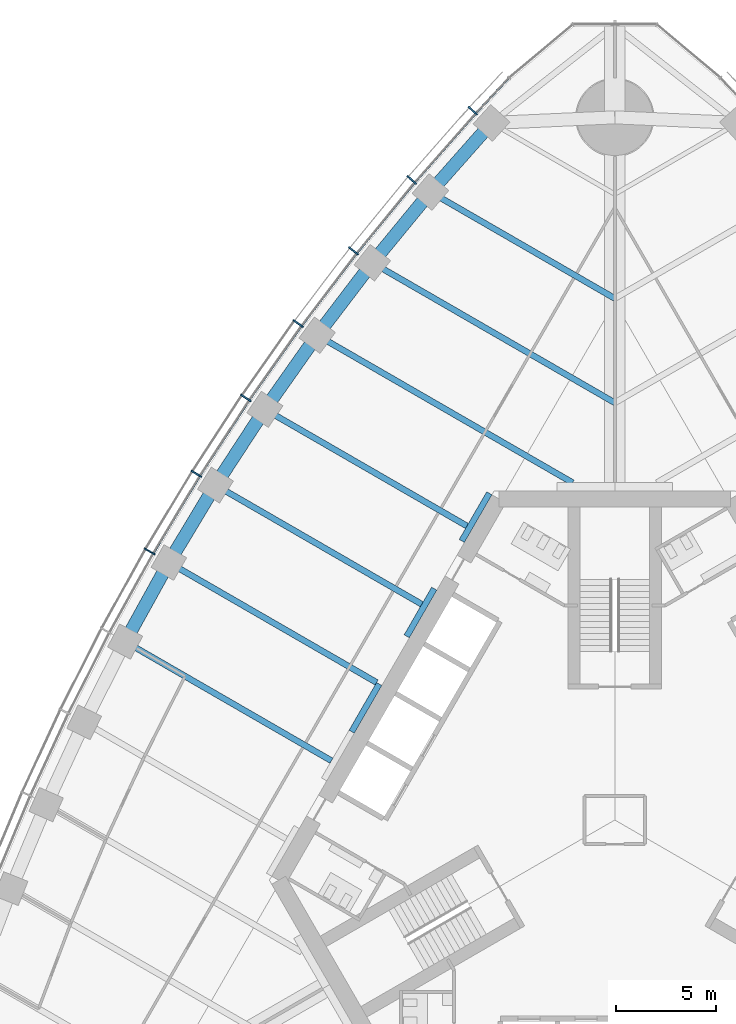
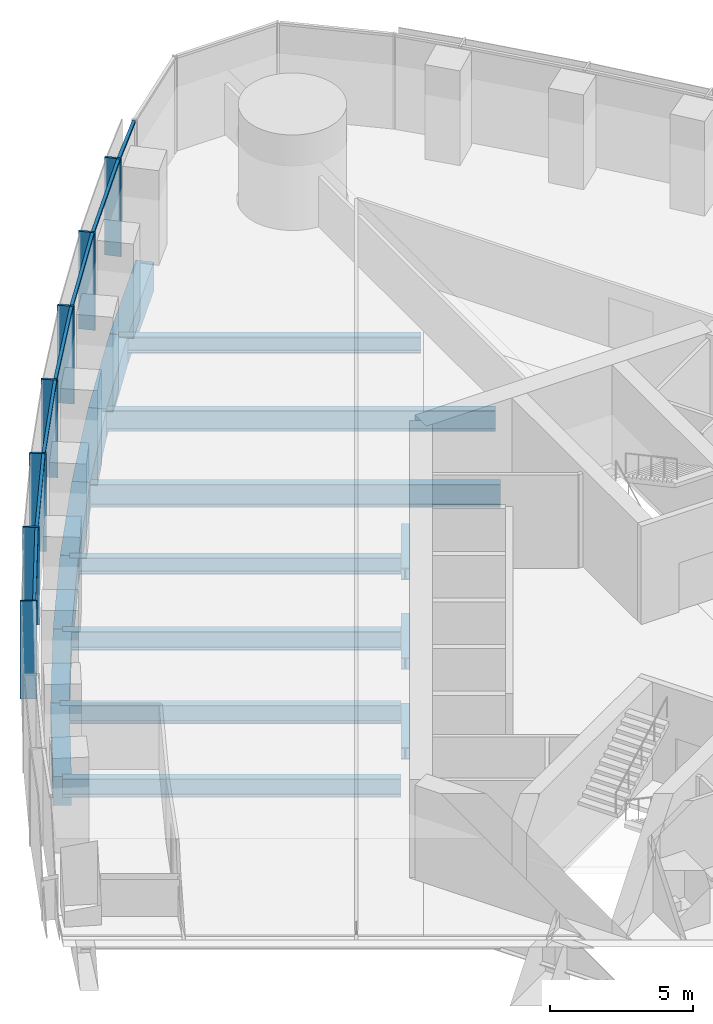
# One storey, part 4 of 19: 17 beams, 14 members, 1 element without a shape of its own.
"""IFC4 building model written with IfcOpenShell, lengths in metres."""

from ifc_helpers import new_model, si_unit, direction, frame, origin, origin_2d, place, context, subcontext, project, spatial, rectangle, i_section, extrude, material, material_profile, profile_set, type_object, element, aggregate, save


model = new_model("IFC4")

# Units and contexts
model_context = context("Model", 3, precision=1e-05, world=origin(), true_north=direction((0.0, 1.0)))
body_context = subcontext(model_context, "Body", "Model", "MODEL_VIEW")
ifc_project = project(units=[si_unit("LENGTHUNIT", "METRE"), si_unit("AREAUNIT", "SQUARE_METRE"), si_unit("VOLUMEUNIT", "CUBIC_METRE"), si_unit("PLANEANGLEUNIT", "RADIAN"), si_unit("MASSUNIT", "GRAM", prefix="KILO")], contexts=[model_context])

# Site, building, storey
site_placement = place(None, origin())
site = spatial("IfcSite", under=ifc_project, at=site_placement, CompositionType="ELEMENT")
building_placement = place(site_placement, origin())
building = spatial("IfcBuilding", under=site, at=building_placement, Name="Trefoil Bronze Tower", CompositionType="ELEMENT")
storey_placement = place(building_placement, frame((0.0, 0.0, 119.89990234375)))
storey = spatial("IfcBuildingStorey", under=building, at=storey_placement, Name="L27", CompositionType="ELEMENT", Elevation=119.89990234375)

# Curtain wall, members
ifc_material_1 = material(Name="Tinted solar-control glass", Category="glass")
curtain_wall_type = type_object("IfcCurtainWallType", Name="Bronze office curtain wall", PredefinedType="USERDEFINED", material=ifc_material_1)
curtain_wall_placement = place(storey_placement, origin())
curtain_wall = element("IfcCurtainWall", 1, at=curtain_wall_placement, inside=storey, type_object=curtain_wall_type, Name="CW-A L27 F3", ObjectType="CURTAIN WALL", PredefinedType="USERDEFINED")
ifc_material_2 = material(Name="Bronze-finish aluminium", Category="aluminium")
ifc_material_profile_1 = material_profile(ifc_material_2, rectangle(XDim=0.60009765625, YDim=0.080078125, at=origin_2d()), Name="CW-A mullion")
ifc_profile_set_1 = profile_set([ifc_material_profile_1], Name="Bronze-finish aluminium")
member_type_1 = type_object("IfcMemberType", Name="Bronze office curtain wall mullion", PredefinedType="MULLION", material=ifc_profile_set_1)
member_1_placement = place(storey_placement, frame((-7.070068359375, 35.332275390625, 0.0), z_axis=(0.0, 0.0, 1.0), x_axis=(0.740360700327, -0.672209813534, 0.0)))
member_1 = element("IfcMember", 2, at=member_1_placement, type_object=member_type_1, Name="CW-A L27 F3 mullion 2", PredefinedType="MULLION", context=body_context, shape_type="SweptSolid", body=[
    extrude(rectangle(XDim=0.60009765625, YDim=0.080078125, at=origin_2d()), origin(), (0.0, 0.0, 1.0), 4.18017578125),
])
member_2_placement = place(storey_placement, frame((-10.11474609375, 31.8828125, 0.0), z_axis=(0.0, 0.0, 1.0), x_axis=(0.761721651066, -0.647904411389, 0.0)))
member_2 = element("IfcMember", 3, at=member_2_placement, type_object=member_type_1, Name="CW-A L27 F3 mullion 3", PredefinedType="MULLION", context=body_context, shape_type="SweptSolid", body=[
    extrude(rectangle(XDim=0.60009765625, YDim=0.080078125, at=origin_2d()), origin(), (0.0, 0.0, 1.0), 4.18017578125),
])
member_3_placement = place(storey_placement, frame((-13.01220703125, 28.34716796875, 0.0), z_axis=(0.0, 0.0, 1.0), x_axis=(0.78487913905, -0.619648882098, 0.0)))
member_3 = element("IfcMember", 4, at=member_3_placement, type_object=member_type_1, Name="CW-A L27 F3 mullion 4", PredefinedType="MULLION", context=body_context, shape_type="SweptSolid", body=[
    extrude(rectangle(XDim=0.60009765625, YDim=0.080078125, at=origin_2d()), origin(), (0.0, 0.0, 1.0), 4.18017578125),
])
member_4_placement = place(storey_placement, frame((-15.764404296875, 24.7275390625, 0.0), z_axis=(0.0, 0.0, 1.0), x_axis=(0.806874522901, -0.590722865897, 0.0)))
member_4 = element("IfcMember", 5, at=member_4_placement, type_object=member_type_1, Name="CW-A L27 F3 mullion 5", PredefinedType="MULLION", context=body_context, shape_type="SweptSolid", body=[
    extrude(rectangle(XDim=0.60009765625, YDim=0.080078125, at=origin_2d()), origin(), (0.0, 0.0, 1.0), 4.18017578125),
])
member_5_placement = place(storey_placement, frame((-18.373046875, 21.025146484375, 0.0), z_axis=(0.0, 0.0, 1.0), x_axis=(0.827723925749, -0.561135547566, 0.0)))
member_5 = element("IfcMember", 6, at=member_5_placement, type_object=member_type_1, Name="CW-A L27 F3 mullion 6", PredefinedType="MULLION", context=body_context, shape_type="SweptSolid", body=[
    extrude(rectangle(XDim=0.60009765625, YDim=0.080078125, at=origin_2d()), origin(), (0.0, 0.0, 1.0), 4.18017578125),
])
member_6_placement = place(storey_placement, frame((-20.840087890625, 17.24072265625, 0.0), z_axis=(0.0, 0.0, 1.0), x_axis=(0.84743864936, -0.530893337283, 0.0)))
member_6 = element("IfcMember", 7, at=member_6_placement, type_object=member_type_1, Name="CW-A L27 F3 mullion 7", PredefinedType="MULLION", context=body_context, shape_type="SweptSolid", body=[
    extrude(rectangle(XDim=0.60009765625, YDim=0.080078125, at=origin_2d()), origin(), (0.0, 0.0, 1.0), 4.18017578125),
])
member_7_placement = place(storey_placement, frame((-23.166015625, 13.374755859375, 0.0), z_axis=(0.0, 0.0, 1.0), x_axis=(0.866025403784, -0.5, 0.0)))
member_7 = element("IfcMember", 8, at=member_7_placement, type_object=member_type_1, Name="CW-A L27 F3 mullion 8", PredefinedType="MULLION", context=body_context, shape_type="SweptSolid", body=[
    extrude(rectangle(XDim=0.60009765625, YDim=0.080078125, at=origin_2d()), origin(), (0.0, 0.0, 1.0), 4.18017578125),
])
ifc_material_3 = material(Name="Bronze-finish aluminium", Category="aluminium")
ifc_material_profile_2 = material_profile(ifc_material_3, rectangle(XDim=0.1201171875, YDim=0.10009765625, at=origin_2d()), Name="CW-A transom")
ifc_profile_set_2 = profile_set([ifc_material_profile_2], Name="Bronze-finish aluminium")
member_type_2 = type_object("IfcMemberType", Name="Bronze office curtain wall transom", PredefinedType="USERDEFINED", material=ifc_profile_set_2)
member_8_placement = place(storey_placement, frame((-5.296630859375, 36.9384765625, 4.130126953125), z_axis=(-0.682489214428, -0.730895664366, 0.0), x_axis=(0.730895664366, -0.682489214428, 0.0)))
member_8 = element("IfcMember", 9, at=member_8_placement, type_object=member_type_2, Name="CW-A L27 F3 transom 1", ObjectType="TRANSOM", PredefinedType="USERDEFINED", context=body_context, shape_type="SweptSolid", body=[
    extrude(rectangle(XDim=0.1201171875, YDim=0.10009765625, at=origin_2d()), origin(), (0.0, 0.0, 1.0), 2.340087890625),
])
member_9_placement = place(storey_placement, frame((-6.949462890625, 35.166748046875, 4.130126953125), z_axis=(-0.66173618877, -0.749736764786, 0.0), x_axis=(0.749736764786, -0.66173618877, 0.0)))
member_9 = element("IfcMember", 10, at=member_9_placement, type_object=member_type_2, Name="CW-A L27 F3 transom 2", ObjectType="TRANSOM", PredefinedType="USERDEFINED", context=body_context, shape_type="SweptSolid", body=[
    extrude(rectangle(XDim=0.1201171875, YDim=0.10009765625, at=origin_2d()), origin(), (0.0, 0.0, 1.0), 4.510986328125),
])
member_10_placement = place(storey_placement, frame((-9.98876953125, 31.720947265625, 4.130126953125), z_axis=(-0.633848872297, -0.773456919995, 0.0), x_axis=(0.773456919995, -0.633848872297, 0.0)))
member_10 = element("IfcMember", 11, at=member_10_placement, type_object=member_type_2, Name="CW-A L27 F3 transom 3", ObjectType="TRANSOM", PredefinedType="USERDEFINED", context=body_context, shape_type="SweptSolid", body=[
    extrude(rectangle(XDim=0.1201171875, YDim=0.10009765625, at=origin_2d()), origin(), (0.0, 0.0, 1.0), 4.480224609375),
])
member_11_placement = place(storey_placement, frame((-12.880615234375, 28.18994140625, 4.130126953125), z_axis=(-0.605229114572, -0.796051329296, 0.0), x_axis=(0.796051329296, -0.605229114572, 0.0)))
member_11 = element("IfcMember", 12, at=member_11_placement, type_object=member_type_2, Name="CW-A L27 F3 transom 4", ObjectType="TRANSOM", PredefinedType="USERDEFINED", context=body_context, shape_type="SweptSolid", body=[
    extrude(rectangle(XDim=0.1201171875, YDim=0.10009765625, at=origin_2d()), origin(), (0.0, 0.0, 1.0), 4.456298828125),
])
member_12_placement = place(storey_placement, frame((-15.626953125, 24.5751953125, 4.130126953125), z_axis=(-0.576017858824, -0.817437108478, 0.0), x_axis=(0.817437108478, -0.576017858824, 0.0)))
member_12 = element("IfcMember", 13, at=member_12_placement, type_object=member_type_2, Name="CW-A L27 F3 transom 5", ObjectType="TRANSOM", PredefinedType="USERDEFINED", context=body_context, shape_type="SweptSolid", body=[
    extrude(rectangle(XDim=0.1201171875, YDim=0.10009765625, at=origin_2d()), origin(), (0.0, 0.0, 1.0), 4.4384765625),
])
member_13_placement = place(storey_placement, frame((-18.23046875, 20.877685546875, 4.130126953125), z_axis=(-0.546079336226, -0.837733465099, 0.0), x_axis=(0.837733465099, -0.546079336226, 0.0)))
member_13 = element("IfcMember", 14, at=member_13_placement, type_object=member_type_2, Name="CW-A L27 F3 transom 6", ObjectType="TRANSOM", PredefinedType="USERDEFINED", context=body_context, shape_type="SweptSolid", body=[
    extrude(rectangle(XDim=0.1201171875, YDim=0.10009765625, at=origin_2d()), origin(), (0.0, 0.0, 1.0), 4.426513671875),
])
member_14_placement = place(storey_placement, frame((-20.692138671875, 17.0986328125, 4.130126953125), z_axis=(-0.515526794174, -0.856873458854, 0.0), x_axis=(0.856873458854, -0.515526794174, 0.0)))
member_14 = element("IfcMember", 15, at=member_14_placement, type_object=member_type_2, Name="CW-A L27 F3 transom 7", ObjectType="TRANSOM", PredefinedType="USERDEFINED", context=body_context, shape_type="SweptSolid", body=[
    extrude(rectangle(XDim=0.1201171875, YDim=0.10009765625, at=origin_2d()), origin(), (0.0, 0.0, 1.0), 4.4208984375),
])
aggregate(curtain_wall, [member_1, member_2, member_3, member_4, member_5, member_6, member_7, member_8, member_9, member_10, member_11, member_12, member_13, member_14])

# Beams
ifc_material_4 = material(Name="Steel C355", Category="steel")
ifc_material_profile_3 = material_profile(ifc_material_4, i_section(OverallWidth=0.300048828125, OverallDepth=0.5, WebThickness=0.014404296875, FlangeThickness=0.028076171875, FilletRadius=0.027099609375, at=origin_2d()), Name="HEB 500")
ifc_profile_set_3 = profile_set([ifc_material_profile_3], Name="Steel C355")
beam_type_1 = type_object("IfcBeamType", Name="Core seat beam HEB 500", PredefinedType="BEAM", material=ifc_profile_set_3)
for number, where, z_axis, x_axis, name in (
    (16, (-6.249755859375, 16.27490234375, -0.449951171875), (-0.500035825175, -0.866004719122, 0.0), (0.866004719122, -0.500035825175, 0.0), "Core seat beam F3/-2 L27"),
    (17, (-8.9921875, 11.52490234375, -0.449951171875), (-0.500035825175, -0.866004719122, 0.0), (0.866004719122, -0.500035825175, 0.0), "Core seat beam F3/-1 L27"),
    (18, (-11.734619140625, 6.77490234375, -0.449951171875), (-0.500035825175, -0.866004719122, 0.0), (0.866004719122, -0.500035825175, 0.0), "Core seat beam F3/+0 L27"),
):
    element("IfcBeam", number, at=place(storey_placement, frame(where, z_axis=z_axis, x_axis=x_axis)), inside=storey, type_object=beam_type_1, Name=name, PredefinedType="BEAM", context=body_context, shape_type="SweptSolid", body=[
        extrude(i_section(OverallWidth=0.300048828125, OverallDepth=0.5, WebThickness=0.014404296875, FlangeThickness=0.028076171875, FilletRadius=0.027099609375, at=origin_2d()), origin(), (0.0, 0.0, 1.0), 2.742431640625),
    ])
ifc_material_5 = material(Name="Steel C355", Category="steel")
ifc_material_profile_4 = material_profile(ifc_material_5, i_section(OverallWidth=0.300048828125, OverallDepth=1.0, WebThickness=0.01904296875, FlangeThickness=0.035888671875, FilletRadius=0.030029296875, at=origin_2d()), Name="HEB 1000")
ifc_profile_set_4 = profile_set([ifc_material_profile_4], Name="Steel C355")
beam_type_2 = type_object("IfcBeamType", Name="Floor beam HEB 1000", PredefinedType="BEAM", material=ifc_profile_set_4)
beam_1_placement = place(storey_placement, frame((-14.825439453125, 24.14794921875, -0.699951171875), z_axis=(0.866027342682, -0.499996641717, 0.0), x_axis=(0.499996641717, 0.866027342682, 0.0)))
element("IfcBeam", 19, at=beam_1_placement, inside=storey, type_object=beam_type_2, Name="Floor beam F3/-3 L27", PredefinedType="BEAM", context=body_context, shape_type="SweptSolid", body=[
    extrude(i_section(OverallWidth=0.300048828125, OverallDepth=1.0, WebThickness=0.01904296875, FlangeThickness=0.035888671875, FilletRadius=0.030029296875, at=origin_2d()), origin(), (0.0, 0.0, 1.0), 14.69580078125),
])
ifc_material_6 = material(Name="Steel C355", Category="steel")
ifc_material_profile_5 = material_profile(ifc_material_6, i_section(OverallWidth=0.300048828125, OverallDepth=0.699951171875, WebThickness=0.01708984375, FlangeThickness=0.031982421875, FilletRadius=0.027099609375, at=origin_2d()), Name="HEB 700")
ifc_profile_set_5 = profile_set([ifc_material_profile_5], Name="Steel C355")
beam_type_3 = type_object("IfcBeamType", Name="Floor beam HEB 700", PredefinedType="BEAM", material=ifc_profile_set_5)
beam_2_placement = place(storey_placement, frame((-9.181884765625, 31.281982421875, -0.5498046875), z_axis=(0.866021079084, -0.500007490527, 0.0), x_axis=(0.500007490527, 0.866021079084, 0.0)))
element("IfcBeam", 20, at=beam_2_placement, inside=storey, type_object=beam_type_3, Name="Floor beam F3/-5 L27", PredefinedType="BEAM", context=body_context, shape_type="SweptSolid", body=[
    extrude(i_section(OverallWidth=0.300048828125, OverallDepth=0.699951171875, WebThickness=0.01708984375, FlangeThickness=0.031982421875, FilletRadius=0.027099609375, at=origin_2d()), origin(), (0.0, 0.0, 1.0), 10.602294921875),
])
beam_3_placement = place(storey_placement, frame((-17.43017578125, 20.45556640625, -0.5498046875), z_axis=(0.866030626868, -0.499990953245, 0.0), x_axis=(0.499990953245, 0.866030626868, 0.0)))
element("IfcBeam", 21, at=beam_3_placement, inside=storey, type_object=beam_type_3, Name="Floor beam F3/-2 L27", PredefinedType="BEAM", context=body_context, shape_type="SweptSolid", body=[
    extrude(i_section(OverallWidth=0.300048828125, OverallDepth=0.699951171875, WebThickness=0.01708984375, FlangeThickness=0.031982421875, FilletRadius=0.027099609375, at=origin_2d()), origin(), (0.0, 0.0, 1.0), 11.622802734375),
])
ifc_material_7 = material(Name="Steel C355", Category="steel")
ifc_material_profile_6 = material_profile(ifc_material_7, i_section(OverallWidth=0.300048828125, OverallDepth=0.800048828125, WebThickness=0.017578125, FlangeThickness=0.032958984375, FilletRadius=0.030029296875, at=origin_2d()), Name="HEB 800")
ifc_profile_set_6 = profile_set([ifc_material_profile_6], Name="Steel C355")
beam_type_4 = type_object("IfcBeamType", Name="Floor beam HEB 800", PredefinedType="BEAM", material=ifc_profile_set_6)
beam_4_placement = place(storey_placement, frame((-19.892578125, 16.68115234375, -0.599853515625), z_axis=(0.866024236736, -0.500002021381, 0.0), x_axis=(0.500002021381, 0.866024236736, 0.0)))
element("IfcBeam", 22, at=beam_4_placement, inside=storey, type_object=beam_type_4, Name="Floor beam F3/-1 L27", PredefinedType="BEAM", context=body_context, shape_type="SweptSolid", body=[
    extrude(i_section(OverallWidth=0.300048828125, OverallDepth=0.800048828125, WebThickness=0.017578125, FlangeThickness=0.032958984375, FilletRadius=0.030029296875, at=origin_2d()), origin(), (0.0, 0.0, 1.0), 11.8681640625),
])
beam_5_placement = place(storey_placement, frame((-22.21337890625, 12.824951171875, -0.599853515625), z_axis=(0.866028062731, -0.499995394541, 0.0), x_axis=(0.499995394541, 0.866028062731, 0.0)))
element("IfcBeam", 23, at=beam_5_placement, inside=storey, type_object=beam_type_4, Name="Floor beam F3/+0 L27", PredefinedType="BEAM", context=body_context, shape_type="SweptSolid", body=[
    extrude(i_section(OverallWidth=0.300048828125, OverallDepth=0.800048828125, WebThickness=0.017578125, FlangeThickness=0.032958984375, FilletRadius=0.030029296875, at=origin_2d()), origin(), (0.0, 0.0, 1.0), 11.94970703125),
])
beam_6_placement = place(storey_placement, frame((-24.392578125, 8.886962890625, -0.599853515625), z_axis=(0.866024236736, -0.500002021381, 0.0), x_axis=(0.500002021381, 0.866024236736, 0.0)))
element("IfcBeam", 24, at=beam_6_placement, inside=storey, type_object=beam_type_4, Name="Floor beam F3/+1 L27", PredefinedType="BEAM", context=body_context, shape_type="SweptSolid", body=[
    extrude(i_section(OverallWidth=0.300048828125, OverallDepth=0.800048828125, WebThickness=0.017578125, FlangeThickness=0.032958984375, FilletRadius=0.030029296875, at=origin_2d()), origin(), (0.0, 0.0, 1.0), 11.8681640625),
])
ifc_material_8 = material(Name="Steel C355", Category="steel")
ifc_material_profile_7 = material_profile(ifc_material_8, i_section(OverallWidth=0.300048828125, OverallDepth=0.89990234375, WebThickness=0.0185546875, FlangeThickness=0.034912109375, FilletRadius=0.030029296875, at=origin_2d()), Name="HEB 900")
ifc_profile_set_7 = profile_set([ifc_material_profile_7], Name="Steel C355")
beam_type_5 = type_object("IfcBeamType", Name="Floor beam HEB 900", PredefinedType="BEAM", material=ifc_profile_set_7)
beam_7_placement = place(storey_placement, frame((-12.07666015625, 27.757080078125, -0.64990234375), z_axis=(0.866026983775, -0.499997263366, 0.0), x_axis=(0.499997263366, 0.866026983775, 0.0)))
element("IfcBeam", 25, at=beam_7_placement, inside=storey, type_object=beam_type_5, Name="Floor beam F3/-4 L27", PredefinedType="BEAM", context=body_context, shape_type="SweptSolid", body=[
    extrude(i_section(OverallWidth=0.300048828125, OverallDepth=0.89990234375, WebThickness=0.0185546875, FlangeThickness=0.034912109375, FilletRadius=0.030029296875, at=origin_2d()), origin(), (0.0, 0.0, 1.0), 13.94482421875),
])
ifc_material_9 = material(Name="Concrete B80", Category="concrete")
ifc_material_profile_8 = material_profile(ifc_material_9, rectangle(XDim=0.64990234375, YDim=1.25, at=origin_2d()), Name="RC 650x1250")
ifc_profile_set_8 = profile_set([ifc_material_profile_8], Name="Concrete B80")
beam_type_6 = type_object("IfcBeamType", Name="Spandrel beam RC 650x1250", PredefinedType="SPANDREL", material=ifc_profile_set_8)
beam_8_placement = place(storey_placement, frame((-6.13916015625, 34.72119140625, -0.824951171875), z_axis=(-0.662616326239, -0.748959013699, 0.0), x_axis=(0.748959013699, -0.662616326239, 0.0)))
element("IfcBeam", 26, at=beam_8_placement, inside=storey, type_object=beam_type_6, Name="Spandrel F3.2 L27", PredefinedType="SPANDREL", context=body_context, shape_type="SweptSolid", body=[
    extrude(rectangle(XDim=0.64990234375, YDim=1.25, at=origin_2d()), origin(), (0.0, 0.0, 1.0), 4.592041015625),
])
beam_9_placement = place(storey_placement, frame((-9.181884765625, 31.281982421875, -0.824951171875), z_axis=(-0.634650386838, -0.772799383079, 0.0), x_axis=(0.772799383079, -0.634650386838, 0.0)))
element("IfcBeam", 27, at=beam_9_placement, inside=storey, type_object=beam_type_6, Name="Spandrel F3.3 L27", PredefinedType="SPANDREL", context=body_context, shape_type="SweptSolid", body=[
    extrude(rectangle(XDim=0.64990234375, YDim=1.25, at=origin_2d()), origin(), (0.0, 0.0, 1.0), 4.561279296875),
])
beam_10_placement = place(storey_placement, frame((-12.07666015625, 27.757080078125, -0.824951171875), z_axis=(-0.605898901788, -0.795541652468, 0.0), x_axis=(0.795541652468, -0.605898901788, 0.0)))
element("IfcBeam", 28, at=beam_10_placement, inside=storey, type_object=beam_type_6, Name="Spandrel F3.4 L27", PredefinedType="SPANDREL", context=body_context, shape_type="SweptSolid", body=[
    extrude(rectangle(XDim=0.64990234375, YDim=1.25, at=origin_2d()), origin(), (0.0, 0.0, 1.0), 4.53662109375),
])
beam_11_placement = place(storey_placement, frame((-14.825439453125, 24.14794921875, -0.824951171875), z_axis=(-0.576439228712, -0.81714002203, 0.0), x_axis=(0.81714002203, -0.576439228712, 0.0)))
element("IfcBeam", 29, at=beam_11_placement, inside=storey, type_object=beam_type_6, Name="Spandrel F3.5 L27", PredefinedType="SPANDREL", context=body_context, shape_type="SweptSolid", body=[
    extrude(rectangle(XDim=0.64990234375, YDim=1.25, at=origin_2d()), origin(), (0.0, 0.0, 1.0), 4.5185546875),
])
beam_12_placement = place(storey_placement, frame((-17.43017578125, 20.45556640625, -0.824951171875), z_axis=(-0.546396670296, -0.83752652417, 0.0), x_axis=(0.83752652417, -0.546396670296, 0.0)))
element("IfcBeam", 30, at=beam_12_placement, inside=storey, type_object=beam_type_6, Name="Spandrel F3.6 L27", PredefinedType="SPANDREL", context=body_context, shape_type="SweptSolid", body=[
    extrude(rectangle(XDim=0.64990234375, YDim=1.25, at=origin_2d()), origin(), (0.0, 0.0, 1.0), 4.506591796875),
])
for number, where, z_axis, x_axis, name in (
    (31, (-19.892578125, 16.68115234375, -0.824951171875), (-0.515651979972, -0.856798129988, 0.0), (0.856798129988, -0.515651979972, 0.0), "Spandrel F3.7 L27"),
    (32, (-22.21337890625, 12.824951171875, -0.824951171875), (-0.484186866546, -0.874964615436, 0.0), (0.874964615436, -0.484186866546, 0.0), "Spandrel F3.8 L27"),
):
    element("IfcBeam", number, at=place(storey_placement, frame(where, z_axis=z_axis, x_axis=x_axis)), inside=storey, type_object=beam_type_6, Name=name, PredefinedType="SPANDREL", context=body_context, shape_type="SweptSolid", body=[
        extrude(rectangle(XDim=0.64990234375, YDim=1.25, at=origin_2d()), origin(), (0.0, 0.0, 1.0), 4.500732421875),
    ])

save(model, "model.ifc")
